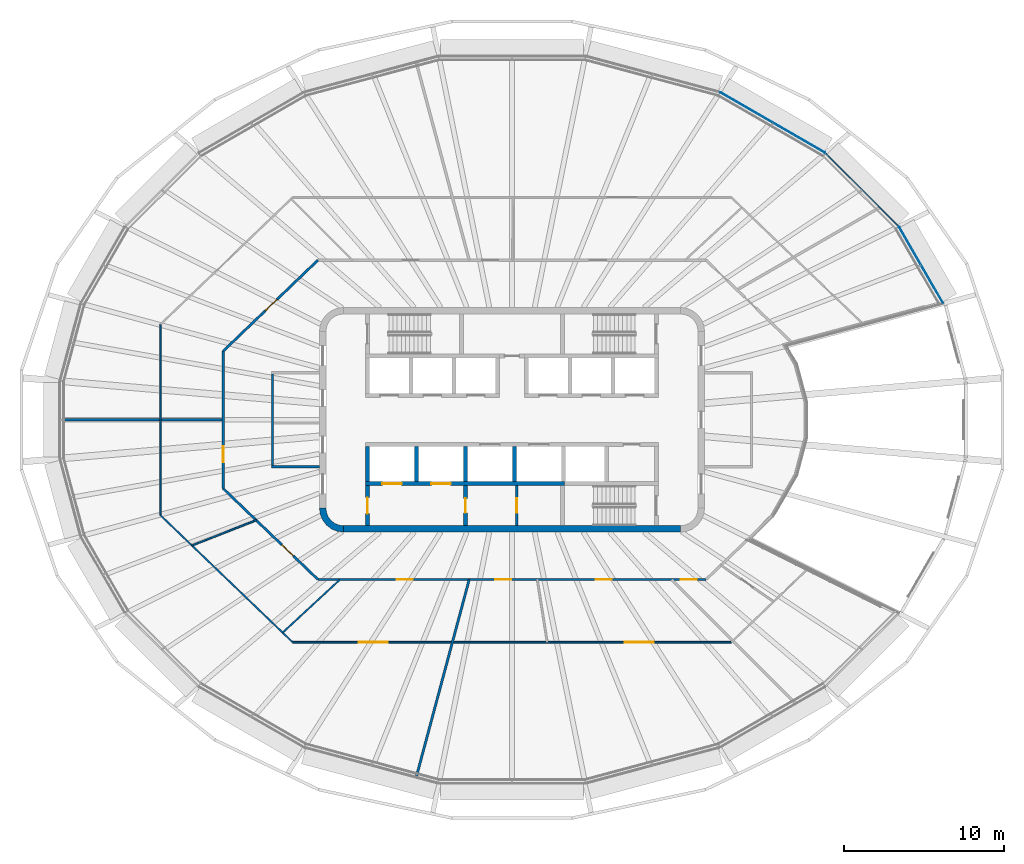
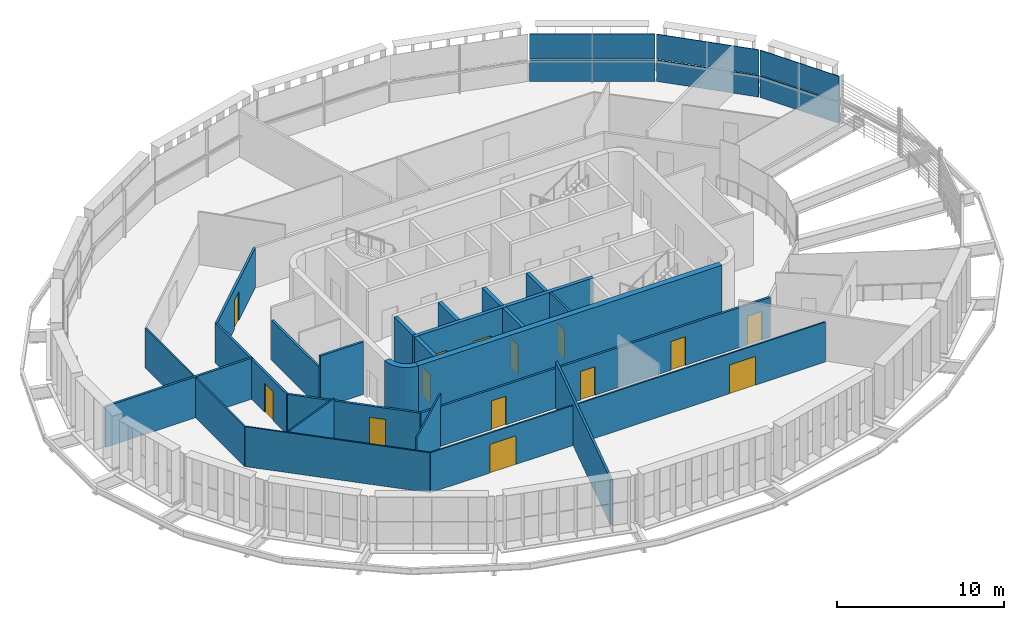
# One storey, part 8 of 17: 23 walls, 14 doors, 6 plates, 14 openings, 3 elements without a shape of their own.
"""IFC4 building model written with IfcOpenShell, lengths in metres."""

import ifcopenshell
import ifcopenshell.guid

model = None  # the IFC model being written
_history = None  # IfcOwnerHistory: only IFC2X3 demands one
_inside = {}  # id of a spatial element -> (the spatial element, [elements in it])
_under = {}  # id of a project, library or spatial element -> (it, [spatial elements below it])
_declared = {}  # id of a project -> (the project, [libraries it declares])
_typed = {}  # id of a type object -> (the type object, [elements of that type])
_made_of = {}  # id of a material, layer set ... -> (it, [elements and type objects made of it])


def new_model(schema):
    """Start an empty IFC model of exactly this schema.

    Asked for "IFC4X3", IfcOpenShell would pick the latest addendum, in which some entities
    have other attributes; the version numbers below select the first issue.
    IFC2X3 requires an IfcOwnerHistory on every rooted entity: one is made here for all.
    """
    global model, _history
    if schema == "IFC4X3":
        model = ifcopenshell.file(schema_version=(4, 3, 0, 0))
    else:
        model = ifcopenshell.file(schema=schema)
    _inside.clear()
    _under.clear()
    _declared.clear()
    _typed.clear()
    _made_of.clear()
    _history = None
    if model.schema == "IFC2X3":
        org = make("IfcOrganization", Name="unknown")
        user = make(
            "IfcPersonAndOrganization",
            ThePerson=make("IfcPerson", FamilyName="unknown"),
            TheOrganization=org,
        )
        app = make(
            "IfcApplication",
            ApplicationDeveloper=org,
            Version="unknown",
            ApplicationFullName="unknown",
            ApplicationIdentifier="unknown",
        )
        _history = make(
            "IfcOwnerHistory",
            OwningUser=user,
            OwningApplication=app,
            ChangeAction="ADDED",
            CreationDate=0,
        )
    return model


def make(cls, **values):
    """One entity of the class cls with the attributes given. An attribute that is None is left unset."""
    return model.create_entity(
        cls, **{name: value for name, value in values.items() if value is not None}
    )


def rooted(cls, **values):
    """An entity with a GlobalId (a new one), such as an element, a storey or a relation."""
    return make(cls, GlobalId=ifcopenshell.guid.new(), OwnerHistory=_history, **values)


def si_unit(unit_type, name, prefix=None):
    """IfcSIUnit, for example si_unit("LENGTHUNIT", "METRE", prefix="MILLI")."""
    return make("IfcSIUnit", UnitType=unit_type, Prefix=prefix, Name=name)


def assignment(units):
    """IfcUnitAssignment: the units of a project."""
    return None if units is None else make("IfcUnitAssignment", Units=units)


def point(xyz):
    """IfcCartesianPoint."""
    return None if xyz is None else make("IfcCartesianPoint", Coordinates=xyz)


def direction(xyz):
    """IfcDirection."""
    return None if xyz is None else make("IfcDirection", DirectionRatios=xyz)


def frame(location, z_axis=None, x_axis=None):
    """IfcAxis2Placement3D, a coordinate frame: its origin and axes. An axis left out is left unset."""
    return make(
        "IfcAxis2Placement3D",
        Location=point(location),
        Axis=direction(z_axis),
        RefDirection=direction(x_axis),
    )


def frame_2d(location, x_axis=None):
    """IfcAxis2Placement2D, a coordinate frame in the plane: its origin and x axis."""
    return make(
        "IfcAxis2Placement2D", Location=point(location), RefDirection=direction(x_axis)
    )


def origin():
    """The frame at (0, 0, 0) with its axes left unset."""
    return frame((0.0, 0.0, 0.0))


def place(relative_to, where):
    """IfcLocalPlacement: puts the frame where relative to a parent placement (None: the world)."""
    return make(
        "IfcLocalPlacement", PlacementRelTo=relative_to, RelativePlacement=where
    )


def context(
    kind, dimensions, precision=None, world=None, true_north=None, identifier=None
):
    """IfcGeometricRepresentationContext, for example the 3D "Model" context."""
    return make(
        "IfcGeometricRepresentationContext",
        ContextIdentifier=identifier,
        ContextType=kind,
        CoordinateSpaceDimension=dimensions,
        Precision=precision,
        WorldCoordinateSystem=world,
        TrueNorth=true_north,
    )


def subcontext(parent, identifier, kind, view, scale=None):
    """IfcGeometricRepresentationSubContext, for example "Body" below "Model"."""
    return make(
        "IfcGeometricRepresentationSubContext",
        ContextIdentifier=identifier,
        ContextType=kind,
        ParentContext=parent,
        TargetScale=scale,
        TargetView=view,
    )


def project(units=None, contexts=None):
    """IfcProject with its units and contexts."""
    return rooted(
        "IfcProject",
        Name="project",
        RepresentationContexts=contexts,
        UnitsInContext=assignment(units),
    )


def spatial(cls, under=None, at=None, **own):
    """A site, building, storey or space (cls), placed at a placement, below another one or the project."""
    s = rooted(cls, ObjectPlacement=at, **own)
    if under is not None:
        _under.setdefault(under.id(), (under, []))[1].append(s)
    return s


def polyline(points):
    """IfcPolyline through the points."""
    return make("IfcPolyline", Points=[point(p) for p in points])


def profile(cls, at=None, kind="AREA", **sizes):
    """A parametric profile (cls). Its sizes go by their IFC names, for example OverallWidth=200.0."""
    return make(cls, ProfileType=kind, Position=at, **sizes)


def rectangle(**sizes):
    """IfcRectangleProfileDef."""
    return profile("IfcRectangleProfileDef", **sizes)


def outline(outer, holes=None, kind="AREA"):
    """IfcArbitraryClosedProfileDef: a profile drawn as a closed curve; with holes, ...WithVoids."""
    if holes is None:
        return make("IfcArbitraryClosedProfileDef", ProfileType=kind, OuterCurve=outer)
    return make(
        "IfcArbitraryProfileDefWithVoids",
        ProfileType=kind,
        OuterCurve=outer,
        InnerCurves=holes,
    )


def extrude(swept, where, along, depth):
    """IfcExtrudedAreaSolid: the profile swept, set in the frame where, extruded along a direction by depth."""
    return make(
        "IfcExtrudedAreaSolid",
        SweptArea=swept,
        Position=where,
        ExtrudedDirection=direction(along),
        Depth=depth,
    )


def shape(context_of_items, identifier, shape_type, items):
    """IfcShapeRepresentation: the items that make up one representation, for example the "Body"."""
    return make(
        "IfcShapeRepresentation",
        ContextOfItems=context_of_items,
        RepresentationIdentifier=identifier,
        RepresentationType=shape_type,
        Items=items,
    )


def material(Name=None, Category=None):
    """IfcMaterial."""
    return make("IfcMaterial", Name=Name, Category=Category)


def layer(
    of_material, thickness, ventilated=None, Name=None, Category=None, Priority=None
):
    """IfcMaterialLayer: one layer of a wall or slab, of a material (None: an air gap)."""
    return make(
        "IfcMaterialLayer",
        Material=of_material,
        LayerThickness=thickness,
        IsVentilated=ventilated,
        Name=Name,
        Category=Category,
        Priority=Priority,
    )


def layer_set(layers, Name=None):
    """IfcMaterialLayerSet."""
    return make("IfcMaterialLayerSet", MaterialLayers=layers, LayerSetName=Name)


def made_of(thing, what):
    """Note that an element or type object is made of a material, layer set ...; save() writes the relation."""
    if what is not None:
        _made_of.setdefault(what.id(), (what, []))[1].append(thing)
    return thing


def type_object(cls, material=None, **own):
    """A type object (cls), such as IfcWallType, which elements share."""
    return made_of(rooted(cls, **own), material)


def element(
    cls,
    number,
    at=None,
    inside=None,
    cuts=None,
    type_object=None,
    material=None,
    context=None,
    identifier="Body",
    shape_type=None,
    held_by="IfcProductDefinitionShape",
    body=None,
    shapes=None,
    **own,
):
    """One element of the class cls, such as IfcWall. Its Tag is "e" and its number.

    at: its placement. inside: the storey or other place that contains it. cuts: it is an
    opening in that element (IfcRelVoidsElement). A single representation is given by context,
    identifier, shape_type and body (its items); several are given by shapes. held_by: the class
    of the entity that holds the representations. save() writes the other relations.
    """
    e = rooted(cls, Tag="e%d" % number, ObjectPlacement=at, **own)
    if body is not None:
        shapes = [shape(context, identifier, shape_type, body)]
    if shapes is not None:
        e.Representation = make(held_by, Representations=shapes)
    if inside is not None:
        _inside.setdefault(inside.id(), (inside, []))[1].append(e)
    if cuts is not None:
        rooted(
            "IfcRelVoidsElement", RelatingBuildingElement=cuts, RelatedOpeningElement=e
        )
    if type_object is not None:
        _typed.setdefault(type_object.id(), (type_object, []))[1].append(e)
    return made_of(e, material)


def fill(opening, filler):
    """IfcRelFillsElement: the door or window that sits in an opening."""
    return rooted(
        "IfcRelFillsElement",
        RelatingOpeningElement=opening,
        RelatedBuildingElement=filler,
    )


def aggregate(whole, parts):
    """IfcRelAggregates: a whole, such as a stair, and the parts it consists of."""
    return rooted("IfcRelAggregates", RelatingObject=whole, RelatedObjects=parts)


def save(model, path):
    """Write the relations noted so far, then the file.

    IfcRelAggregates (storeys below a building ...), IfcRelContainedInSpatialStructure (elements
    in a storey), IfcRelDefinesByType, IfcRelAssociatesMaterial and IfcRelDeclares: one each for
    every whole, place, type object, material and project.
    """
    for whole, parts in _under.values():
        aggregate(whole, parts)
    for where, things in _inside.values():
        rooted(
            "IfcRelContainedInSpatialStructure",
            RelatedElements=things,
            RelatingStructure=where,
        )
    for kind, things in _typed.values():
        rooted("IfcRelDefinesByType", RelatedObjects=things, RelatingType=kind)
    for what, things in _made_of.values():
        rooted("IfcRelAssociatesMaterial", RelatedObjects=things, RelatingMaterial=what)
    for by, libraries in _declared.values():
        rooted("IfcRelDeclares", RelatingContext=by, RelatedDefinitions=libraries)
    model.write(path)


model = new_model("IFC4")

# Units and contexts
model_context = context("Model", 3, precision=1e-05, world=origin(), true_north=direction((0.0, 1.0)))
body_context = subcontext(model_context, "Body", "Model", "MODEL_VIEW")
ifc_project = project(units=[si_unit("LENGTHUNIT", "METRE"), si_unit("AREAUNIT", "SQUARE_METRE"), si_unit("VOLUMEUNIT", "CUBIC_METRE"), si_unit("PLANEANGLEUNIT", "RADIAN"), si_unit("MASSUNIT", "GRAM", prefix="KILO")], contexts=[model_context])

# Site, building, storey
site_placement = place(None, origin())
site = spatial("IfcSite", under=ifc_project, at=site_placement, CompositionType="ELEMENT")
building_placement = place(site_placement, origin())
building = spatial("IfcBuilding", under=site, at=building_placement, Name="Sahrelin Media Tower", CompositionType="ELEMENT")
storey_placement = place(building_placement, frame((0.0, 0.0, 291.0)))
storey = spatial("IfcBuildingStorey", under=building, at=storey_placement, Name="L64", CompositionType="ELEMENT", Elevation=291.0)

# Curtain wall, plate
ifc_material_1 = material(Name="Champagne anodised aluminium 6063-T6", Category="aluminium")
ifc_layer_1 = layer(ifc_material_1, 0.14990234375)
ifc_layer_set_1 = layer_set([ifc_layer_1], Name="Tower ribbon curtain wall")
curtain_wall_type = type_object("IfcCurtainWallType", Name="Tower ribbon curtain wall", PredefinedType="NOTDEFINED", material=ifc_layer_set_1)
curtain_wall_1_placement = place(storey_placement, frame((25.496826171875, 9.656494140625, 0.0), z_axis=(0.0, 0.0, 1.0), x_axis=(1.0, 0.0, 0.0)))
curtain_wall_1 = element("IfcCurtainWall", 1, at=curtain_wall_1_placement, inside=storey, type_object=curtain_wall_type, Name="L64:CW:L64-02", PredefinedType="NOTDEFINED")
ifc_material_2 = material(Name="Clear low-iron glazing", Category="glass")
ifc_layer_2 = layer(ifc_material_2, 0.048095703125)
ifc_layer_set_2 = layer_set([ifc_layer_2], Name="Glazing panel 48 mm CW1C")
plate_type_1 = type_object("IfcPlateType", Name="Glazing panel 48 mm CW1C", PredefinedType="CURTAIN_PANEL", material=ifc_layer_set_2)
plate_1_placement = place(storey_placement, frame((26.8759765625, 7.3076171875, 1.6298828125), z_axis=(0.866019904165, 0.5000095255, 0.0), x_axis=(-0.5000095255, 0.866019904165, 0.0)))
plate_1 = element("IfcPlate", 2, at=plate_1_placement, type_object=plate_type_1, Name="L64:CWP2:L64-02", PredefinedType="CURTAIN_PANEL", context=body_context, shape_type="SweptSolid", body=[
    extrude(outline(polyline([(0.0, 0.0), (5.44775390625, 0.0), (5.44775390625, 1.818603515625), (0.0, 1.818603515625), (0.0, 0.0)])), origin(), (0.0, 0.0, -1.0), 0.048095703125),
])

curtain_wall_2_placement = place(storey_placement, frame((21.829345703125, 14.339111328125, 0.0), z_axis=(0.0, 0.0, 1.0), x_axis=(1.0, 0.0, 0.0)))
curtain_wall_2 = element("IfcCurtainWall", 3, at=curtain_wall_2_placement, inside=storey, type_object=curtain_wall_type, Name="L64:CW:L64-03", PredefinedType="NOTDEFINED")
plate_2_placement = place(storey_placement, frame((24.088623046875, 12.1083984375, 1.6298828125), z_axis=(0.707087557187, 0.707126004664, 0.0), x_axis=(-0.707126004664, 0.707087557187, 0.0)))
plate_2 = element("IfcPlate", 4, at=plate_2_placement, type_object=plate_type_1, Name="L64:CWP2:L64-03", PredefinedType="CURTAIN_PANEL", context=body_context, shape_type="SweptSolid", body=[
    extrude(outline(polyline([(0.0, 0.0), (6.35009765625, 0.0), (6.35009765625, 1.818603515625), (0.0, 1.818603515625), (0.0, 0.0)])), origin(), (0.0, 0.0, -1.0), 0.048095703125),
])

curtain_wall_3_placement = place(storey_placement, frame((16.25341796875, 18.522216796875, 0.0), z_axis=(0.0, 0.0, 1.0), x_axis=(1.0, 0.0, 0.0)))
curtain_wall_3 = element("IfcCurtainWall", 5, at=curtain_wall_3_placement, inside=storey, type_object=curtain_wall_type, Name="L64:CW:L64-04", PredefinedType="NOTDEFINED")
plate_3_placement = place(storey_placement, frame((19.515625, 16.661865234375, 1.6298828125), z_axis=(0.500005707901, 0.866022108301, 0.0), x_axis=(-0.866022108301, 0.500005707901, 0.0)))
plate_3 = element("IfcPlate", 6, at=plate_3_placement, type_object=plate_type_1, Name="L64:CWP2:L64-04", PredefinedType="CURTAIN_PANEL", context=body_context, shape_type="SweptSolid", body=[
    extrude(outline(polyline([(0.0, 0.0), (7.5107421875, 0.0), (7.5107421875, 1.818603515625), (0.0, 1.818603515625), (0.0, 0.0)])), origin(), (0.0, 0.0, -1.0), 0.048095703125),
])

# Plate
ifc_material_3 = material(Name="Insulated spandrel panel")
ifc_layer_3 = layer(ifc_material_3, 0.06005859375)
ifc_layer_set_3 = layer_set([ifc_layer_3], Name="Spandrel panel 60 mm CW1")
plate_type_2 = type_object("IfcPlateType", Name="Spandrel panel 60 mm CW1", PredefinedType="SHEET", material=ifc_layer_set_3)
plate_4_placement = place(storey_placement, frame((26.8759765625, 7.3076171875, 0.0), z_axis=(0.866019904165, 0.5000095255, 0.0), x_axis=(-0.5000095255, 0.866019904165, 0.0)))
plate_4 = element("IfcPlate", 7, at=plate_4_placement, type_object=plate_type_2, Name="L64:CWP1:L64-02", PredefinedType="SHEET", context=body_context, shape_type="SweptSolid", body=[
    extrude(outline(polyline([(0.0, 0.0), (5.44775390625, 0.0), (5.44775390625, 1.570068359375), (0.0, 1.570068359375), (0.0, 0.0)])), origin(), (0.0, 0.0, -1.0), 0.06005859375),
])

aggregate(curtain_wall_1, [plate_4, plate_1])

plate_5_placement = place(storey_placement, frame((24.088623046875, 12.1083984375, 0.0), z_axis=(0.707087557187, 0.707126004664, 0.0), x_axis=(-0.707126004664, 0.707087557187, 0.0)))
plate_5 = element("IfcPlate", 8, at=plate_5_placement, type_object=plate_type_2, Name="L64:CWP1:L64-03", PredefinedType="SHEET", context=body_context, shape_type="SweptSolid", body=[
    extrude(outline(polyline([(0.0, 0.0), (6.35009765625, 0.0), (6.35009765625, 1.570068359375), (0.0, 1.570068359375), (0.0, 0.0)])), origin(), (0.0, 0.0, -1.0), 0.06005859375),
])

aggregate(curtain_wall_2, [plate_5, plate_2])

plate_6_placement = place(storey_placement, frame((19.515625, 16.661865234375, 0.0), z_axis=(0.500005707901, 0.866022108301, 0.0), x_axis=(-0.866022108301, 0.500005707901, 0.0)))
plate_6 = element("IfcPlate", 9, at=plate_6_placement, type_object=plate_type_2, Name="L64:CWP1:L64-04", PredefinedType="SHEET", context=body_context, shape_type="SweptSolid", body=[
    extrude(outline(polyline([(0.0, 0.0), (7.5107421875, 0.0), (7.5107421875, 1.570068359375), (0.0, 1.570068359375), (0.0, 0.0)])), origin(), (0.0, 0.0, -1.0), 0.06005859375),
])

aggregate(curtain_wall_3, [plate_6, plate_3])

# Walls
ifc_material_4 = material(Name="Concrete C60/75", Category="concrete")
ifc_layer_4 = layer(ifc_material_4, 0.39990234375)
ifc_layer_set_4 = layer_set([ifc_layer_4], Name="Core wall 400")
wall_type_1 = type_object("IfcWallType", Name="Core wall 400", PredefinedType="SHEAR", material=ifc_layer_set_4)
wall_1_placement = place(storey_placement, frame((-10.5, -6.800048828125, 0.0), z_axis=(0.0, 0.0, 1.0), x_axis=(1.0, 0.0, 0.0)))
element("IfcWall", 10, at=wall_1_placement, inside=storey, type_object=wall_type_1, Name="Core wall S L64", PredefinedType="SHEAR", context=body_context, shape_type="SweptSolid", body=[
    extrude(rectangle(XDim=21.0, YDim=0.39990234375, at=frame_2d((10.5, 0.0))), origin(), (0.0, 0.0, 1.0), 4.0),
])
wall_2_placement = place(storey_placement, origin())
element("IfcWall", 11, at=wall_2_placement, inside=storey, type_object=wall_type_1, Name="Core wall corner SW L64", PredefinedType="SHEAR", context=body_context, shape_type="SweptSolid", body=[
    extrude(outline(polyline([(-10.5, -7.0), (-10.5, -6.596435546875), (-10.78369140625, -6.55908203125), (-11.04833984375, -6.44970703125), (-11.275390625, -6.275390625), (-11.44970703125, -6.04833984375), (-11.55908203125, -5.78369140625), (-11.596435546875, -5.5), (-12.0, -5.5), (-11.948974609375, -5.88818359375), (-11.799072265625, -6.25), (-11.560791015625, -6.560791015625), (-11.25, -6.799072265625), (-10.88818359375, -6.948974609375), (-10.5, -7.0)])), origin(), (0.0, 0.0, 1.0), 4.0),
])

# Wall, opening, door
ifc_material_5 = material(Name="Fire-rated gypsum board partition")
ifc_layer_5 = layer(ifc_material_5, 0.14990234375)
ifc_layer_set_5 = layer_set([ifc_layer_5], Name="Fire-rated partition 150")
wall_type_2 = type_object("IfcWallType", Name="Fire-rated partition 150", PredefinedType="PARTITIONING", material=ifc_layer_set_5)
wall_3_placement = place(storey_placement, frame((0.300048828125, -6.60009765625, 0.0), z_axis=(0.0, 0.0, 1.0), x_axis=(0.0, 1.0, 0.0)))
wall_3 = element("IfcWall", 12, at=wall_3_placement, inside=storey, type_object=wall_type_2, Name="Core room fire partition", PredefinedType="PARTITIONING", context=body_context, shape_type="SweptSolid", body=[
    extrude(rectangle(XDim=2.5, YDim=0.14990234375, at=frame_2d((1.25, 0.0))), origin(), (0.0, 0.0, 1.0), 3.85009765625),
])
opening_1_placement = place(wall_3_placement, frame((0.800048828125, 0.0, 0.0)))
opening_1 = element("IfcOpeningElement", 13, at=opening_1_placement, cuts=wall_3, Name="Opening L64-D07", PredefinedType="OPENING", context=body_context, shape_type="SweptSolid", body=[
    extrude(rectangle(XDim=0.89990234375, YDim=2.10009765625, at=frame_2d((0.449951171875, 1.050048828125))), frame((0.0, 0.074951171875, 0.0), z_axis=(0.0, -1.0, 0.0), x_axis=(1.0, 0.0, 0.0)), (0.0, 0.0, 1.0), 0.14990234375),
])
ifc_material_6 = material(Name="Steel fire door leaf", Category="steel")
door_type_1 = type_object("IfcDoorType", Name="Fire door 900 x 2100 EI 60", OperationType="NOTDEFINED", PredefinedType="DOOR", material=ifc_material_6)
door_1_placement = place(opening_1_placement, origin())
door_1 = element("IfcDoor", 14, at=door_1_placement, inside=storey, type_object=door_type_1, Name="Core room door", OperationType="SINGLE_SWING_RIGHT", OverallHeight=2.10009765625, OverallWidth=0.89990234375, PredefinedType="DOOR", context=body_context, shape_type="SweptSolid", body=[
    extrude(rectangle(XDim=0.89990234375, YDim=2.10009765625, at=frame_2d((0.449951171875, 1.050048828125))), frame((0.0, 0.02490234375, 0.0), z_axis=(0.0, -1.0, 0.0), x_axis=(1.0, 0.0, 0.0)), (0.0, 0.0, 1.0), 0.050048828125),
])
fill(opening_1, door_1)

# Walls
wall_4_placement = place(storey_placement, frame((-14.925048828125, -2.85009765625, 0.0), z_axis=(0.0, 0.0, 1.0), x_axis=(0.0, 1.0, 0.0)))
element("IfcWall", 15, at=wall_4_placement, inside=storey, type_object=wall_type_2, Name="Core room fire partition", PredefinedType="PARTITIONING", context=body_context, shape_type="SweptSolid", body=[
    extrude(rectangle(XDim=5.7001953125, YDim=0.14990234375, at=frame_2d((2.85009765625, 0.0))), origin(), (0.0, 0.0, 1.0), 2.927001953125),
])
wall_5_placement = place(storey_placement, frame((-15.0, -2.925048828125, 0.0), z_axis=(0.0, 0.0, 1.0), x_axis=(1.0, 0.0, 0.0)))
element("IfcWall", 16, at=wall_5_placement, inside=storey, type_object=wall_type_2, Name="Core room fire partition", PredefinedType="PARTITIONING", context=body_context, shape_type="SweptSolid", body=[
    extrude(rectangle(XDim=3.0, YDim=0.14990234375, at=frame_2d((1.5, 0.0))), origin(), (0.0, 0.0, 1.0), 3.85009765625),
])

# Wall, opening, door
wall_6_placement = place(storey_placement, frame((-18.0, -4.278076171875, 0.0), z_axis=(0.0, 0.0, 1.0), x_axis=(0.721290181137, -0.692633001376, 0.0)))
wall_6 = element("IfcWall", 17, at=wall_6_placement, inside=storey, type_object=wall_type_2, Name="Wall", PredefinedType="PARTITIONING", context=body_context, shape_type="SweptSolid", body=[
    extrude(rectangle(XDim=8.18701171875, YDim=0.14990234375, at=frame_2d((4.093505859375, 0.0))), origin(), (0.0, 0.0, 1.0), 2.927001953125),
])
opening_2_placement = place(wall_6_placement, frame((5.07373046875, 0.0, 0.0)))
opening_2 = element("IfcOpeningElement", 18, at=opening_2_placement, cuts=wall_6, Name="Opening L64-D29", PredefinedType="OPENING", context=body_context, shape_type="SweptSolid", body=[
    extrude(rectangle(XDim=1.0, YDim=2.10009765625, at=frame_2d((0.5, 1.050048828125))), frame((0.0, 0.074951171875, 0.0), z_axis=(0.0, -1.0, 0.0), x_axis=(1.0, 0.0, 0.0)), (0.0, 0.0, 1.0), 0.14990234375),
])
door_type_2 = type_object("IfcDoorType", Name="Fire door 1000 x 2100 EI 60", OperationType="NOTDEFINED", PredefinedType="DOOR", material=ifc_material_6)
door_2_placement = place(opening_2_placement, origin())
door_2 = element("IfcDoor", 19, at=door_2_placement, inside=storey, type_object=door_type_2, Name="Fire door", OperationType="SINGLE_SWING_LEFT", OverallHeight=2.10009765625, OverallWidth=1.0, PredefinedType="DOOR", context=body_context, shape_type="SweptSolid", body=[
    extrude(rectangle(XDim=1.0, YDim=2.10009765625, at=frame_2d((0.5, 1.050048828125))), frame((0.0, 0.02490234375, 0.0), z_axis=(0.0, -1.0, 0.0), x_axis=(1.0, 0.0, 0.0)), (0.0, 0.0, 1.0), 0.050048828125),
])
fill(opening_2, door_2)

# Wall, openings, doors
wall_7_placement = place(storey_placement, frame((-12.094970703125, -9.948974609375, 0.0), z_axis=(0.0, 0.0, 1.0), x_axis=(1.0, 0.0, 0.0)))
wall_7 = element("IfcWall", 20, at=wall_7_placement, inside=storey, type_object=wall_type_2, Name="Wall", PredefinedType="PARTITIONING", context=body_context, shape_type="SweptSolid", body=[
    extrude(rectangle(XDim=24.18994140625, YDim=0.14990234375, at=frame_2d((12.094970703125, 0.0))), origin(), (0.0, 0.0, 1.0), 2.927001953125),
])
opening_3_placement = place(wall_7_placement, frame((22.616943359375, 0.0, 0.0)))
opening_3 = element("IfcOpeningElement", 21, at=opening_3_placement, cuts=wall_7, Name="Opening L64-D18", PredefinedType="OPENING", context=body_context, shape_type="SweptSolid", body=[
    extrude(rectangle(XDim=1.0, YDim=2.10009765625, at=frame_2d((0.5, 1.050048828125))), frame((0.0, 0.074951171875, 0.0), z_axis=(0.0, -1.0, 0.0), x_axis=(1.0, 0.0, 0.0)), (0.0, 0.0, 1.0), 0.14990234375),
])
opening_4_placement = place(wall_7_placement, frame((4.900390625, 0.0, 0.0)))
opening_4 = element("IfcOpeningElement", 22, at=opening_4_placement, cuts=wall_7, Name="Opening L64-D30", PredefinedType="OPENING", context=body_context, shape_type="SweptSolid", body=[
    extrude(rectangle(XDim=1.0, YDim=2.10009765625, at=frame_2d((0.5, 1.050048828125))), frame((0.0, 0.074951171875, 0.0), z_axis=(0.0, -1.0, 0.0), x_axis=(1.0, 0.0, 0.0)), (0.0, 0.0, 1.0), 0.14990234375),
])
opening_5_placement = place(wall_7_placement, frame((11.050048828125, 0.0, 0.0)))
opening_5 = element("IfcOpeningElement", 23, at=opening_5_placement, cuts=wall_7, Name="Opening L64-D32", PredefinedType="OPENING", context=body_context, shape_type="SweptSolid", body=[
    extrude(rectangle(XDim=1.0, YDim=2.10009765625, at=frame_2d((0.5, 1.050048828125))), frame((0.0, 0.074951171875, 0.0), z_axis=(0.0, -1.0, 0.0), x_axis=(1.0, 0.0, 0.0)), (0.0, 0.0, 1.0), 0.14990234375),
])
opening_6_placement = place(wall_7_placement, frame((17.306884765625, 0.0, 0.0)))
opening_6 = element("IfcOpeningElement", 24, at=opening_6_placement, cuts=wall_7, Name="Opening L64-D33", PredefinedType="OPENING", context=body_context, shape_type="SweptSolid", body=[
    extrude(rectangle(XDim=1.0, YDim=2.10009765625, at=frame_2d((0.5, 1.050048828125))), frame((0.0, 0.074951171875, 0.0), z_axis=(0.0, -1.0, 0.0), x_axis=(1.0, 0.0, 0.0)), (0.0, 0.0, 1.0), 0.14990234375),
])
door_3_placement = place(opening_3_placement, origin())
door_3 = element("IfcDoor", 25, at=door_3_placement, inside=storey, type_object=door_type_2, Name="Fire door", OperationType="SINGLE_SWING_LEFT", OverallHeight=2.10009765625, OverallWidth=1.0, PredefinedType="DOOR", context=body_context, shape_type="SweptSolid", body=[
    extrude(rectangle(XDim=1.0, YDim=2.10009765625, at=frame_2d((0.5, 1.050048828125))), frame((0.0, 0.02490234375, 0.0), z_axis=(0.0, -1.0, 0.0), x_axis=(1.0, 0.0, 0.0)), (0.0, 0.0, 1.0), 0.050048828125),
])
fill(opening_3, door_3)
door_4_placement = place(opening_4_placement, origin())
door_4 = element("IfcDoor", 26, at=door_4_placement, inside=storey, type_object=door_type_2, Name="Fire door", OperationType="SINGLE_SWING_RIGHT", OverallHeight=2.10009765625, OverallWidth=1.0, PredefinedType="DOOR", context=body_context, shape_type="SweptSolid", body=[
    extrude(rectangle(XDim=1.0, YDim=2.10009765625, at=frame_2d((0.5, 1.050048828125))), frame((0.0, 0.02490234375, 0.0), z_axis=(0.0, -1.0, 0.0), x_axis=(1.0, 0.0, 0.0)), (0.0, 0.0, 1.0), 0.050048828125),
])
fill(opening_4, door_4)
door_5_placement = place(opening_5_placement, origin())
door_5 = element("IfcDoor", 27, at=door_5_placement, inside=storey, type_object=door_type_2, Name="Fire door", OperationType="SINGLE_SWING_RIGHT", OverallHeight=2.10009765625, OverallWidth=1.0, PredefinedType="DOOR", context=body_context, shape_type="SweptSolid", body=[
    extrude(rectangle(XDim=1.0, YDim=2.10009765625, at=frame_2d((0.5, 1.050048828125))), frame((0.0, 0.02490234375, 0.0), z_axis=(0.0, -1.0, 0.0), x_axis=(1.0, 0.0, 0.0)), (0.0, 0.0, 1.0), 0.050048828125),
])
fill(opening_5, door_5)
door_6_placement = place(opening_6_placement, origin())
door_6 = element("IfcDoor", 28, at=door_6_placement, inside=storey, type_object=door_type_2, Name="Fire door", OperationType="SINGLE_SWING_RIGHT", OverallHeight=2.10009765625, OverallWidth=1.0, PredefinedType="DOOR", context=body_context, shape_type="SweptSolid", body=[
    extrude(rectangle(XDim=1.0, YDim=2.10009765625, at=frame_2d((0.5, 1.050048828125))), frame((0.0, 0.02490234375, 0.0), z_axis=(0.0, -1.0, 0.0), x_axis=(1.0, 0.0, 0.0)), (0.0, 0.0, 1.0), 0.050048828125),
])
fill(opening_6, door_6)

# Wall
wall_8_placement = place(storey_placement, frame((-28.179931640625, 0.0, 0.0), z_axis=(0.0, 0.0, 1.0), x_axis=(1.0, 0.0, 0.0)))
element("IfcWall", 29, at=wall_8_placement, inside=storey, type_object=wall_type_2, Name="Wall", PredefinedType="PARTITIONING", context=body_context, shape_type="SweptSolid", body=[
    extrude(rectangle(XDim=10.179931640625, YDim=0.14990234375, at=frame_2d((5.08984375, 0.0))), origin(), (0.0, 0.0, 1.0), 2.9951171875),
])

# Wall, opening, door
wall_9_placement = place(storey_placement, frame((-18.0, 4.278076171875, 0.0), z_axis=(0.0, 0.0, 1.0), x_axis=(0.721173355365, 0.692754640195, 0.0)))
wall_9 = element("IfcWall", 30, at=wall_9_placement, inside=storey, type_object=wall_type_2, Name="Wall", PredefinedType="PARTITIONING", context=body_context, shape_type="SweptSolid", body=[
    extrude(rectangle(XDim=8.18701171875, YDim=0.14990234375, at=frame_2d((4.093505859375, 0.0))), origin(), (0.0, 0.0, 1.0), 2.927001953125),
])
opening_7_placement = place(wall_9_placement, frame((3.64208984375, 0.0, 0.0)))
opening_7 = element("IfcOpeningElement", 31, at=opening_7_placement, cuts=wall_9, Name="Opening L64-D26", PredefinedType="OPENING", context=body_context, shape_type="SweptSolid", body=[
    extrude(rectangle(XDim=1.0, YDim=2.10009765625, at=frame_2d((0.5, 1.050048828125))), frame((0.0, 0.074951171875, 0.0), z_axis=(0.0, -1.0, 0.0), x_axis=(1.0, 0.0, 0.0)), (0.0, 0.0, 1.0), 0.14990234375),
])
door_7_placement = place(opening_7_placement, origin())
door_7 = element("IfcDoor", 32, at=door_7_placement, inside=storey, type_object=door_type_2, Name="Fire door", OperationType="SINGLE_SWING_RIGHT", OverallHeight=2.10009765625, OverallWidth=1.0, PredefinedType="DOOR", context=body_context, shape_type="SweptSolid", body=[
    extrude(rectangle(XDim=1.0, YDim=2.10009765625, at=frame_2d((0.5, 1.050048828125))), frame((0.0, 0.02490234375, 0.0), z_axis=(0.0, -1.0, 0.0), x_axis=(1.0, 0.0, 0.0)), (0.0, 0.0, 1.0), 0.050048828125),
])
fill(opening_7, door_7)

# Wall
wall_10_placement = place(storey_placement, frame((-5.97412109375, -22.2958984375, 0.0), z_axis=(0.0, 0.0, 1.0), x_axis=(0.258823917952, 0.9659245206, 0.0)))
element("IfcWall", 33, at=wall_10_placement, inside=storey, type_object=wall_type_2, Name="Wall", PredefinedType="PARTITIONING", context=body_context, shape_type="SweptSolid", body=[
    extrude(rectangle(XDim=12.7822265625, YDim=0.14990234375, at=frame_2d((6.39111328125, 0.0))), origin(), (0.0, 0.0, 1.0), 3.373046875),
])

# Wall, opening, door
wall_11_placement = place(storey_placement, frame((-18.0, -4.278076171875, 0.0), z_axis=(0.0, 0.0, 1.0), x_axis=(0.0, 1.0, 0.0)))
wall_11 = element("IfcWall", 34, at=wall_11_placement, inside=storey, type_object=wall_type_2, Name="Wall", PredefinedType="PARTITIONING", context=body_context, shape_type="SweptSolid", body=[
    extrude(rectangle(XDim=8.55615234375, YDim=0.14990234375, at=frame_2d((4.278076171875, 0.0))), origin(), (0.0, 0.0, 1.0), 2.927001953125),
])
opening_8_placement = place(wall_11_placement, frame((1.638916015625, 0.0, 0.0)))
opening_8 = element("IfcOpeningElement", 35, at=opening_8_placement, cuts=wall_11, Name="Opening L64-D28", PredefinedType="OPENING", context=body_context, shape_type="SweptSolid", body=[
    extrude(rectangle(XDim=1.0, YDim=2.10009765625, at=frame_2d((0.5, 1.050048828125))), frame((0.0, 0.074951171875, 0.0), z_axis=(0.0, -1.0, 0.0), x_axis=(1.0, 0.0, 0.0)), (0.0, 0.0, 1.0), 0.14990234375),
])
door_8_placement = place(opening_8_placement, origin())
door_8 = element("IfcDoor", 36, at=door_8_placement, inside=storey, type_object=door_type_2, Name="Fire door", OperationType="SINGLE_SWING_RIGHT", OverallHeight=2.10009765625, OverallWidth=1.0, PredefinedType="DOOR", context=body_context, shape_type="SweptSolid", body=[
    extrude(rectangle(XDim=1.0, YDim=2.10009765625, at=frame_2d((0.5, 1.050048828125))), frame((0.0, 0.02490234375, 0.0), z_axis=(0.0, -1.0, 0.0), x_axis=(1.0, 0.0, 0.0)), (0.0, 0.0, 1.0), 0.050048828125),
])
fill(opening_8, door_8)

ifc_layer_6 = layer(ifc_material_5, 0.25)
ifc_layer_set_6 = layer_set([ifc_layer_6], Name="Firefighting lobby wall 250")
wall_type_3 = type_object("IfcWallType", Name="Firefighting lobby wall 250", PredefinedType="PARTITIONING", material=ifc_layer_set_6)
wall_12_placement = place(storey_placement, frame((-9.0, -6.60009765625, 0.0), z_axis=(0.0, 0.0, 1.0), x_axis=(0.0, 1.0, 0.0)))
wall_12 = element("IfcWall", 37, at=wall_12_placement, inside=storey, type_object=wall_type_3, Name="Core wall", PredefinedType="PARTITIONING", context=body_context, shape_type="SweptSolid", body=[
    extrude(rectangle(XDim=2.5, YDim=0.25, at=frame_2d((1.25, 0.0))), origin(), (0.0, 0.0, 1.0), 3.85009765625),
])
opening_9_placement = place(wall_12_placement, frame((0.75, 0.0, 0.0)))
opening_9 = element("IfcOpeningElement", 38, at=opening_9_placement, cuts=wall_12, Name="Opening L64-D04", PredefinedType="OPENING", context=body_context, shape_type="SweptSolid", body=[
    extrude(rectangle(XDim=1.0, YDim=2.10009765625, at=frame_2d((0.5, 1.050048828125))), frame((0.0, 0.125, 0.0), z_axis=(0.0, -1.0, 0.0), x_axis=(1.0, 0.0, 0.0)), (0.0, 0.0, 1.0), 0.25),
])
door_type_3 = type_object("IfcDoorType", Name="Firefighting lobby door 1000 x 2100 EI 120", OperationType="NOTDEFINED", PredefinedType="DOOR", material=ifc_material_6)
door_9_placement = place(opening_9_placement, origin())
door_9 = element("IfcDoor", 39, at=door_9_placement, inside=storey, type_object=door_type_3, Name="Firefighting lobby door", OperationType="SINGLE_SWING_LEFT", OverallHeight=2.10009765625, OverallWidth=1.0, PredefinedType="DOOR", context=body_context, shape_type="SweptSolid", body=[
    extrude(rectangle(XDim=1.0, YDim=2.10009765625, at=frame_2d((0.5, 1.050048828125))), frame((0.0, 0.02490234375, 0.0), z_axis=(0.0, -1.0, 0.0), x_axis=(1.0, 0.0, 0.0)), (0.0, 0.0, 1.0), 0.050048828125),
])
fill(opening_9, door_9)

wall_13_placement = place(storey_placement, frame((-2.89990234375, -6.60009765625, 0.0), z_axis=(0.0, 0.0, 1.0), x_axis=(0.0, 1.0, 0.0)))
wall_13 = element("IfcWall", 40, at=wall_13_placement, inside=storey, type_object=wall_type_3, Name="Core wall", PredefinedType="PARTITIONING", context=body_context, shape_type="SweptSolid", body=[
    extrude(rectangle(XDim=2.5, YDim=0.25, at=frame_2d((1.25, 0.0))), origin(), (0.0, 0.0, 1.0), 3.85009765625),
])
opening_10_placement = place(wall_13_placement, frame((0.800048828125, 0.0, 0.0)))
opening_10 = element("IfcOpeningElement", 41, at=opening_10_placement, cuts=wall_13, Name="Opening L64-D05", PredefinedType="OPENING", context=body_context, shape_type="SweptSolid", body=[
    extrude(rectangle(XDim=0.89990234375, YDim=2.10009765625, at=frame_2d((0.449951171875, 1.050048828125))), frame((0.0, 0.125, 0.0), z_axis=(0.0, -1.0, 0.0), x_axis=(1.0, 0.0, 0.0)), (0.0, 0.0, 1.0), 0.25),
])
door_type_4 = type_object("IfcDoorType", Name="Firefighting lobby door 900 x 2100 EI 120", OperationType="NOTDEFINED", PredefinedType="DOOR", material=ifc_material_6)
door_10_placement = place(opening_10_placement, origin())
door_10 = element("IfcDoor", 42, at=door_10_placement, inside=storey, type_object=door_type_4, Name="Riser door", OperationType="SINGLE_SWING_RIGHT", OverallHeight=2.10009765625, OverallWidth=0.89990234375, PredefinedType="DOOR", context=body_context, shape_type="SweptSolid", body=[
    extrude(rectangle(XDim=0.89990234375, YDim=2.10009765625, at=frame_2d((0.449951171875, 1.050048828125))), frame((0.0, 0.02490234375, 0.0), z_axis=(0.0, -1.0, 0.0), x_axis=(1.0, 0.0, 0.0)), (0.0, 0.0, 1.0), 0.050048828125),
])
fill(opening_10, door_10)

# Wall, openings, doors
ifc_layer_7 = layer(ifc_material_4, 0.25)
ifc_layer_set_7 = layer_set([ifc_layer_7], Name="Lift shaft wall 250")
wall_type_4 = type_object("IfcWallType", Name="Lift shaft wall 250", PredefinedType="SOLIDWALL", material=ifc_layer_set_7)
wall_14_placement = place(storey_placement, frame((-9.125, -3.97509765625, 0.0), z_axis=(0.0, 0.0, 1.0), x_axis=(1.0, 0.0, 0.0)))
wall_14 = element("IfcWall", 43, at=wall_14_placement, inside=storey, type_object=wall_type_4, Name="Lift shaft wall", PredefinedType="SOLIDWALL", context=body_context, shape_type="SweptSolid", body=[
    extrude(rectangle(XDim=12.39990234375, YDim=0.25, at=frame_2d((6.199951171875, 0.0))), origin(), (0.0, 0.0, 1.0), 3.85009765625),
])
opening_11_placement = place(wall_14_placement, frame((1.050048828125, 0.0, 0.0)))
opening_11 = element("IfcOpeningElement", 44, at=opening_11_placement, cuts=wall_14, Name="Opening L64-LD-FF1", PredefinedType="OPENING", context=body_context, shape_type="SweptSolid", body=[
    extrude(rectangle(XDim=1.199951171875, YDim=2.10009765625, at=frame_2d((0.60009765625, 1.050048828125))), frame((0.0, 0.125, 0.0), z_axis=(0.0, -1.0, 0.0), x_axis=(1.0, 0.0, 0.0)), (0.0, 0.0, 1.0), 0.25),
])
opening_12_placement = place(wall_14_placement, frame((4.10009765625, 0.0, 0.0)))
opening_12 = element("IfcOpeningElement", 45, at=opening_12_placement, cuts=wall_14, Name="Opening L64-LD-FF2", PredefinedType="OPENING", context=body_context, shape_type="SweptSolid", body=[
    extrude(rectangle(XDim=1.199951171875, YDim=2.10009765625, at=frame_2d((0.60009765625, 1.050048828125))), frame((0.0, 0.125, 0.0), z_axis=(0.0, -1.0, 0.0), x_axis=(1.0, 0.0, 0.0)), (0.0, 0.0, 1.0), 0.25),
])
ifc_material_7 = material(Name="Stainless steel", Category="steel")
door_type_5 = type_object("IfcDoorType", Name="Lift landing door 1200 x 2100 EI 120", OperationType="DOUBLE_DOOR_SLIDING", PredefinedType="DOOR", material=ifc_material_7)
door_11_placement = place(opening_11_placement, origin())
door_11 = element("IfcDoor", 46, at=door_11_placement, inside=storey, type_object=door_type_5, Name="Lift landing door FF1", OperationType="DOUBLE_DOOR_SLIDING", OverallHeight=2.10009765625, OverallWidth=1.199951171875, PredefinedType="DOOR", context=body_context, shape_type="SweptSolid", body=[
    extrude(rectangle(XDim=1.199951171875, YDim=2.10009765625, at=frame_2d((0.60009765625, 1.050048828125))), frame((0.0, 0.02490234375, 0.0), z_axis=(0.0, -1.0, 0.0), x_axis=(1.0, 0.0, 0.0)), (0.0, 0.0, 1.0), 0.050048828125),
])
fill(opening_11, door_11)
door_12_placement = place(opening_12_placement, origin())
door_12 = element("IfcDoor", 47, at=door_12_placement, inside=storey, type_object=door_type_5, Name="Lift landing door FF2", OperationType="DOUBLE_DOOR_SLIDING", OverallHeight=2.10009765625, OverallWidth=1.199951171875, PredefinedType="DOOR", context=body_context, shape_type="SweptSolid", body=[
    extrude(rectangle(XDim=1.199951171875, YDim=2.10009765625, at=frame_2d((0.60009765625, 1.050048828125))), frame((0.0, 0.02490234375, 0.0), z_axis=(0.0, -1.0, 0.0), x_axis=(1.0, 0.0, 0.0)), (0.0, 0.0, 1.0), 0.050048828125),
])
fill(opening_12, door_12)

# Walls
for number, where, z_axis, x_axis, name in (
    (48, (-9.0, -3.85009765625, 0.0), (0.0, 0.0, 1.0), (0.0, 1.0, 0.0), "Lift shaft wall"),
    (49, (-5.949951171875, -3.85009765625, 0.0), (0.0, 0.0, 1.0), (0.0, 1.0, 0.0), "Lift shaft wall"),
    (50, (-2.89990234375, -3.85009765625, 0.0), (0.0, 0.0, 1.0), (0.0, 1.0, 0.0), "Lift shaft wall"),
    (51, (0.14990234375, -3.85009765625, 0.0), (0.0, 0.0, 1.0), (0.0, 1.0, 0.0), "Lift shaft wall"),
):
    element("IfcWall", number, at=place(storey_placement, frame(where, z_axis=z_axis, x_axis=x_axis)), inside=storey, type_object=wall_type_4, Name=name, PredefinedType="SOLIDWALL", context=body_context, shape_type="SweptSolid", body=[
        extrude(rectangle(XDim=2.2001953125, YDim=0.25, at=frame_2d((1.10009765625, 0.0))), origin(), (0.0, 0.0, 1.0), 3.85009765625),
    ])
ifc_material_8 = material(Name="Gypsum board partition")
ifc_layer_8 = layer(ifc_material_8, 0.10009765625)
ifc_layer_set_8 = layer_set([ifc_layer_8], Name="Partition 100")
wall_type_5 = type_object("IfcWallType", Name="Partition 100", PredefinedType="PARTITIONING", material=ifc_layer_set_8)
wall_15_placement = place(storey_placement, frame((-21.909912109375, -5.944091796875, 0.0), z_axis=(0.0, 0.0, 1.0), x_axis=(0.721193028331, -0.692734159608, 0.0)))
element("IfcWall", 52, at=wall_15_placement, inside=storey, type_object=wall_type_5, Name="Wall", PredefinedType="PARTITIONING", context=body_context, shape_type="SweptSolid", body=[
    extrude(rectangle(XDim=11.4267578125, YDim=0.10009765625, at=frame_2d((5.71337890625, 0.0))), origin(), (0.0, 0.0, 1.0), 2.927001953125),
])

# Wall, openings, doors
wall_16_placement = place(storey_placement, frame((-13.66796875, -13.85888671875, 0.0), z_axis=(0.0, 0.0, 1.0), x_axis=(1.0, 0.0, 0.0)))
wall_16 = element("IfcWall", 53, at=wall_16_placement, inside=storey, type_object=wall_type_5, Name="Wall", PredefinedType="PARTITIONING", context=body_context, shape_type="SweptSolid", body=[
    extrude(rectangle(XDim=27.3369140625, YDim=0.10009765625, at=frame_2d((13.66845703125, 0.0))), origin(), (0.0, 0.0, 1.0), 2.927001953125),
])
opening_13_placement = place(wall_16_placement, frame((4.12744140625, 0.0, 0.0)))
opening_13 = element("IfcOpeningElement", 54, at=opening_13_placement, cuts=wall_16, Name="Opening L64-D31", PredefinedType="OPENING", context=body_context, shape_type="SweptSolid", body=[
    extrude(rectangle(XDim=1.800048828125, YDim=2.10009765625, at=frame_2d((0.89990234375, 1.050048828125))), frame((0.0, 0.050048828125, 0.0), z_axis=(0.0, -1.0, 0.0), x_axis=(1.0, 0.0, 0.0)), (0.0, 0.0, 1.0), 0.10009765625),
])
opening_14_placement = place(wall_16_placement, frame((20.699951171875, 0.0, 0.0)))
opening_14 = element("IfcOpeningElement", 55, at=opening_14_placement, cuts=wall_16, Name="Opening L64-D34", PredefinedType="OPENING", context=body_context, shape_type="SweptSolid", body=[
    extrude(rectangle(XDim=1.800048828125, YDim=2.10009765625, at=frame_2d((0.89990234375, 1.050048828125))), frame((0.0, 0.050048828125, 0.0), z_axis=(0.0, -1.0, 0.0), x_axis=(1.0, 0.0, 0.0)), (0.0, 0.0, 1.0), 0.10009765625),
])
ifc_material_9 = material(Name="Timber door leaf", Category="wood")
door_type_6 = type_object("IfcDoorType", Name="Double door 1800 x 2100", OperationType="DOUBLE_DOOR_SINGLE_SWING", PredefinedType="DOOR", material=ifc_material_9)
door_13_placement = place(opening_13_placement, origin())
door_13 = element("IfcDoor", 56, at=door_13_placement, inside=storey, type_object=door_type_6, Name="Double door", OperationType="DOUBLE_DOOR_SINGLE_SWING", OverallHeight=2.10009765625, OverallWidth=1.800048828125, PredefinedType="DOOR", context=body_context, shape_type="SweptSolid", body=[
    extrude(rectangle(XDim=1.800048828125, YDim=2.10009765625, at=frame_2d((0.89990234375, 1.050048828125))), frame((0.0, 0.02490234375, 0.0), z_axis=(0.0, -1.0, 0.0), x_axis=(1.0, 0.0, 0.0)), (0.0, 0.0, 1.0), 0.050048828125),
])
fill(opening_13, door_13)
door_14_placement = place(opening_14_placement, origin())
door_14 = element("IfcDoor", 57, at=door_14_placement, inside=storey, type_object=door_type_6, Name="Double door", OperationType="DOUBLE_DOOR_SINGLE_SWING", OverallHeight=2.10009765625, OverallWidth=1.800048828125, PredefinedType="DOOR", context=body_context, shape_type="SweptSolid", body=[
    extrude(rectangle(XDim=1.800048828125, YDim=2.10009765625, at=frame_2d((0.89990234375, 1.050048828125))), frame((0.0, 0.02490234375, 0.0), z_axis=(0.0, -1.0, 0.0), x_axis=(1.0, 0.0, 0.0)), (0.0, 0.0, 1.0), 0.050048828125),
])
fill(opening_14, door_14)

# Walls
wall_17_placement = place(storey_placement, frame((-19.947021484375, -7.8291015625, 0.0), z_axis=(0.0, 0.0, 1.0), x_axis=(0.930847279984, 0.36540845823, 0.0)))
element("IfcWall", 58, at=wall_17_placement, inside=storey, type_object=wall_type_5, Name="Wall", PredefinedType="PARTITIONING", context=body_context, shape_type="SweptSolid", body=[
    extrude(rectangle(XDim=4.3046875, YDim=0.10009765625, at=frame_2d((2.15234375, 0.0))), origin(), (0.0, 0.0, 1.0), 3.075927734375),
])
wall_18_placement = place(storey_placement, frame((-14.291015625, -13.260009765625, 0.0), z_axis=(0.0, 0.0, 1.0), x_axis=(0.733889385895, 0.679268996253, 0.0)))
element("IfcWall", 59, at=wall_18_placement, inside=storey, type_object=wall_type_5, Name="Wall", PredefinedType="PARTITIONING", context=body_context, shape_type="SweptSolid", body=[
    extrude(rectangle(XDim=4.86767578125, YDim=0.10009765625, at=frame_2d((2.433837890625, 0.0))), origin(), (0.0, 0.0, 1.0), 3.85009765625),
])
wall_19_placement = place(storey_placement, frame((-21.909912109375, -5.944091796875, 0.0), z_axis=(0.0, 0.0, 1.0), x_axis=(0.0, 1.0, 0.0)))
element("IfcWall", 60, at=wall_19_placement, inside=storey, type_object=wall_type_5, Name="Wall", PredefinedType="PARTITIONING", context=body_context, shape_type="SweptSolid", body=[
    extrude(rectangle(XDim=11.88818359375, YDim=0.10009765625, at=frame_2d((5.944091796875, 0.0))), origin(), (0.0, 0.0, 1.0), 2.927001953125),
])

save(model, "model.ifc")
